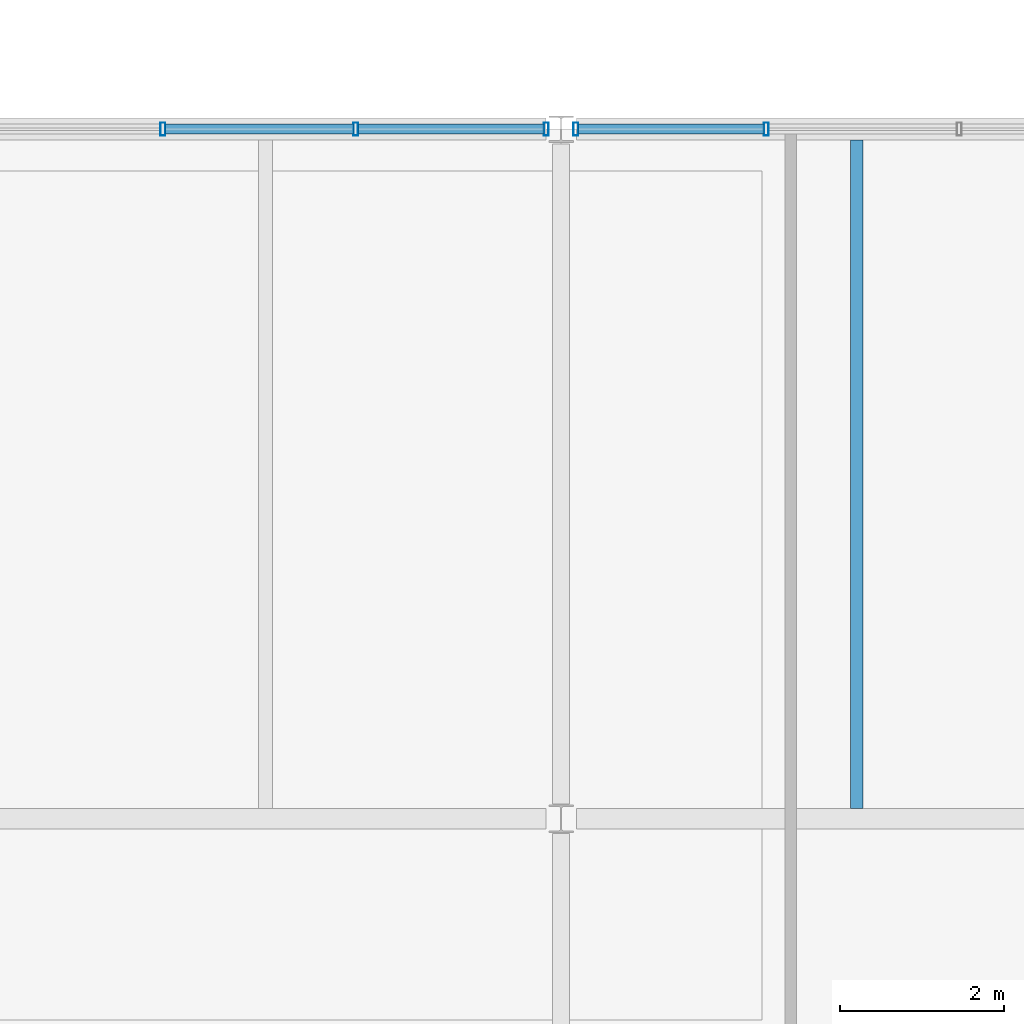
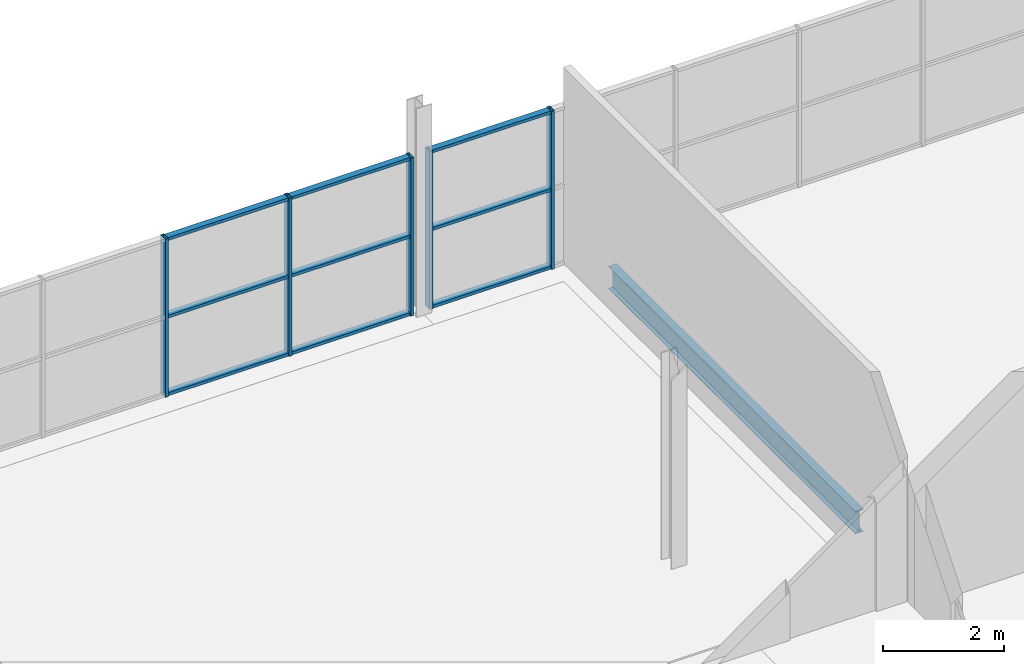
# One storey, part 51 of 93: 14 members, 1 beam, 2 elements without a shape of their own.
"""IFC4 building model written with IfcOpenShell, lengths in metres."""

from ifc_helpers import new_model, si_unit, direction, frame, origin, origin_2d, place, context, subcontext, project, spatial, hollow_rectangle, i_section, extrude, material, material_profile, profile_set, type_object, element, aggregate, save


model = new_model("IFC4")

# Units and contexts
model_context = context("Model", 3, precision=1e-05, world=origin(), true_north=direction((0.0, 1.0)))
body_context = subcontext(model_context, "Body", "Model", "MODEL_VIEW")
ifc_project = project(units=[si_unit("LENGTHUNIT", "METRE"), si_unit("AREAUNIT", "SQUARE_METRE"), si_unit("VOLUMEUNIT", "CUBIC_METRE"), si_unit("PLANEANGLEUNIT", "RADIAN"), si_unit("MASSUNIT", "GRAM", prefix="KILO"), si_unit("THERMODYNAMICTEMPERATUREUNIT", "KELVIN")], contexts=[model_context])

# Site, building, storey
site_placement = place(None, origin())
site = spatial("IfcSite", under=ifc_project, at=site_placement, CompositionType="ELEMENT")
building_placement = place(site_placement, origin())
building = spatial("IfcBuilding", under=site, at=building_placement, Name="Nduvali Passage Aquatics Centre", CompositionType="ELEMENT")
storey_placement = place(building_placement, frame((0.0, 0.0, 9.0)))
storey = spatial("IfcBuildingStorey", under=building, at=storey_placement, Name="L02", CompositionType="ELEMENT", Elevation=9.0)

# Curtain wall, members
ifc_material_1 = material(Name="Aluminium EN AW-6063 T6", Category="aluminium")
curtain_wall_type = type_object("IfcCurtainWallType", Name="ENV-CW-WELL", PredefinedType="NOTDEFINED", material=ifc_material_1)
curtain_wall_1_placement = place(storey_placement, origin())
curtain_wall_1 = element("IfcCurtainWall", 1, at=curtain_wall_1_placement, inside=storey, type_object=curtain_wall_type, Name="L02 North Avenue Clinic CW 101", PredefinedType="NOTDEFINED")
ifc_material_profile_1 = material_profile(ifc_material_1, hollow_rectangle(XDim=0.06005859375, YDim=0.159912109375, WallThickness=0.00390625, at=origin_2d()), Name="ALU MULLION 60x160x4")
ifc_profile_set_1 = profile_set([ifc_material_profile_1], Name="Aluminium EN AW-6063 T6")
member_type_1 = type_object("IfcMemberType", Name="ENV-MEM-MUL60", PredefinedType="MULLION", material=ifc_profile_set_1)
member_1_placement = place(storey_placement, frame((63.550048828125, 117.60009765625, 0.0), z_axis=(0.0, 0.0, 1.0), x_axis=(1.0, 0.0, 0.0)))
member_1 = element("IfcMember", 2, at=member_1_placement, type_object=member_type_1, Name="North Avenue Clinic CW Mullion 5", PredefinedType="MULLION", context=body_context, shape_type="SweptSolid", body=[
    extrude(hollow_rectangle(XDim=0.06005859375, YDim=0.159912109375, WallThickness=0.00390625, at=origin_2d()), origin(), (0.0, 0.0, 1.0), 3.183837890625),
])
member_2_placement = place(storey_placement, frame((65.89990234375, 117.60009765625, 0.0), z_axis=(0.0, 0.0, 1.0), x_axis=(1.0, 0.0, 0.0)))
member_2 = element("IfcMember", 3, at=member_2_placement, type_object=member_type_1, Name="North Avenue Clinic CW Mullion 6", PredefinedType="MULLION", context=body_context, shape_type="SweptSolid", body=[
    extrude(hollow_rectangle(XDim=0.06005859375, YDim=0.159912109375, WallThickness=0.00390625, at=origin_2d()), origin(), (0.0, 0.0, 1.0), 3.183837890625),
])
member_3_placement = place(storey_placement, frame((68.219970703125, 117.60009765625, 0.0), z_axis=(0.0, 0.0, 1.0), x_axis=(1.0, 0.0, 0.0)))
member_3 = element("IfcMember", 4, at=member_3_placement, type_object=member_type_1, Name="North Avenue Clinic CW Mullion 7", PredefinedType="MULLION", context=body_context, shape_type="SweptSolid", body=[
    extrude(hollow_rectangle(XDim=0.06005859375, YDim=0.159912109375, WallThickness=0.00390625, at=origin_2d()), origin(), (0.0, 0.0, 1.0), 3.183837890625),
])

curtain_wall_2_placement = place(storey_placement, origin())
curtain_wall_2 = element("IfcCurtainWall", 5, at=curtain_wall_2_placement, inside=storey, type_object=curtain_wall_type, Name="L02 North Avenue Clinic CW 104", PredefinedType="NOTDEFINED")
member_4_placement = place(storey_placement, frame((68.580078125, 117.60009765625, 0.0), z_axis=(0.0, 0.0, 1.0), x_axis=(1.0, 0.0, 0.0)))
member_4 = element("IfcMember", 6, at=member_4_placement, type_object=member_type_1, Name="North Avenue Clinic CW Mullion 1", PredefinedType="MULLION", context=body_context, shape_type="SweptSolid", body=[
    extrude(hollow_rectangle(XDim=0.06005859375, YDim=0.159912109375, WallThickness=0.00390625, at=origin_2d()), origin(), (0.0, 0.0, 1.0), 3.183837890625),
])
member_5_placement = place(storey_placement, frame((70.89990234375, 117.60009765625, 0.0), z_axis=(0.0, 0.0, 1.0), x_axis=(1.0, 0.0, 0.0)))
member_5 = element("IfcMember", 7, at=member_5_placement, type_object=member_type_1, Name="North Avenue Clinic CW Mullion 2", PredefinedType="MULLION", context=body_context, shape_type="SweptSolid", body=[
    extrude(hollow_rectangle(XDim=0.06005859375, YDim=0.159912109375, WallThickness=0.00390625, at=origin_2d()), origin(), (0.0, 0.0, 1.0), 3.183837890625),
])

# Member
ifc_material_profile_2 = material_profile(ifc_material_1, hollow_rectangle(XDim=0.1201171875, YDim=0.06005859375, WallThickness=0.00390625, at=origin_2d()), Name="ALU TRANSOM 120x60x4")
ifc_profile_set_2 = profile_set([ifc_material_profile_2], Name="Aluminium EN AW-6063 T6")
member_type_2 = type_object("IfcMemberType", Name="ENV-MEM-TRN60", PredefinedType="USERDEFINED", material=ifc_profile_set_2)
member_6_placement = place(storey_placement, frame((63.580078125, 117.60009765625, 0.030029296875), z_axis=(1.0, 0.0, 0.0), x_axis=(0.0, 1.0, 0.0)))
member_6 = element("IfcMember", 8, at=member_6_placement, type_object=member_type_2, Name="North Avenue Clinic CW Transom B5-R0", ObjectType="TRANSOM", PredefinedType="USERDEFINED", context=body_context, shape_type="SweptSolid", body=[
    extrude(hollow_rectangle(XDim=0.1201171875, YDim=0.06005859375, WallThickness=0.00390625, at=origin_2d()), origin(), (0.0, 0.0, 1.0), 2.2900390625),
])

member_7_placement = place(storey_placement, frame((63.580078125, 117.60009765625, 1.591796875), z_axis=(1.0, 0.0, 0.0), x_axis=(0.0, 1.0, 0.0)))
member_7 = element("IfcMember", 9, at=member_7_placement, type_object=member_type_2, Name="North Avenue Clinic CW Transom B5-R1", ObjectType="TRANSOM", PredefinedType="USERDEFINED", context=body_context, shape_type="SweptSolid", body=[
    extrude(hollow_rectangle(XDim=0.1201171875, YDim=0.06005859375, WallThickness=0.00390625, at=origin_2d()), origin(), (0.0, 0.0, 1.0), 2.2900390625),
])

member_8_placement = place(storey_placement, frame((63.580078125, 117.60009765625, 3.15380859375), z_axis=(1.0, 0.0, 0.0), x_axis=(0.0, 1.0, 0.0)))
member_8 = element("IfcMember", 10, at=member_8_placement, type_object=member_type_2, Name="North Avenue Clinic CW Transom B5-R2", ObjectType="TRANSOM", PredefinedType="USERDEFINED", context=body_context, shape_type="SweptSolid", body=[
    extrude(hollow_rectangle(XDim=0.1201171875, YDim=0.06005859375, WallThickness=0.00390625, at=origin_2d()), origin(), (0.0, 0.0, 1.0), 2.2900390625),
])

member_9_placement = place(storey_placement, frame((65.929931640625, 117.60009765625, 0.030029296875), z_axis=(1.0, 0.0, 0.0), x_axis=(0.0, 1.0, 0.0)))
member_9 = element("IfcMember", 11, at=member_9_placement, type_object=member_type_2, Name="North Avenue Clinic CW Transom B6-R0", ObjectType="TRANSOM", PredefinedType="USERDEFINED", context=body_context, shape_type="SweptSolid", body=[
    extrude(hollow_rectangle(XDim=0.1201171875, YDim=0.06005859375, WallThickness=0.00390625, at=origin_2d()), origin(), (0.0, 0.0, 1.0), 2.260009765625),
])

member_10_placement = place(storey_placement, frame((65.929931640625, 117.60009765625, 1.591796875), z_axis=(1.0, 0.0, 0.0), x_axis=(0.0, 1.0, 0.0)))
member_10 = element("IfcMember", 12, at=member_10_placement, type_object=member_type_2, Name="North Avenue Clinic CW Transom B6-R1", ObjectType="TRANSOM", PredefinedType="USERDEFINED", context=body_context, shape_type="SweptSolid", body=[
    extrude(hollow_rectangle(XDim=0.1201171875, YDim=0.06005859375, WallThickness=0.00390625, at=origin_2d()), origin(), (0.0, 0.0, 1.0), 2.260009765625),
])

member_11_placement = place(storey_placement, frame((65.929931640625, 117.60009765625, 3.15380859375), z_axis=(1.0, 0.0, 0.0), x_axis=(0.0, 1.0, 0.0)))
member_11 = element("IfcMember", 13, at=member_11_placement, type_object=member_type_2, Name="North Avenue Clinic CW Transom B6-R2", ObjectType="TRANSOM", PredefinedType="USERDEFINED", context=body_context, shape_type="SweptSolid", body=[
    extrude(hollow_rectangle(XDim=0.1201171875, YDim=0.06005859375, WallThickness=0.00390625, at=origin_2d()), origin(), (0.0, 0.0, 1.0), 2.260009765625),
])

aggregate(curtain_wall_1, [member_1, member_2, member_3, member_6, member_7, member_8, member_9, member_10, member_11])

member_12_placement = place(storey_placement, frame((68.610107421875, 117.60009765625, 0.030029296875), z_axis=(1.0, 0.0, 0.0), x_axis=(0.0, 1.0, 0.0)))
member_12 = element("IfcMember", 14, at=member_12_placement, type_object=member_type_2, Name="North Avenue Clinic CW Transom B1-R0", ObjectType="TRANSOM", PredefinedType="USERDEFINED", context=body_context, shape_type="SweptSolid", body=[
    extrude(hollow_rectangle(XDim=0.1201171875, YDim=0.06005859375, WallThickness=0.00390625, at=origin_2d()), origin(), (0.0, 0.0, 1.0), 2.260009765625),
])

member_13_placement = place(storey_placement, frame((68.610107421875, 117.60009765625, 1.591796875), z_axis=(1.0, 0.0, 0.0), x_axis=(0.0, 1.0, 0.0)))
member_13 = element("IfcMember", 15, at=member_13_placement, type_object=member_type_2, Name="North Avenue Clinic CW Transom B1-R1", ObjectType="TRANSOM", PredefinedType="USERDEFINED", context=body_context, shape_type="SweptSolid", body=[
    extrude(hollow_rectangle(XDim=0.1201171875, YDim=0.06005859375, WallThickness=0.00390625, at=origin_2d()), origin(), (0.0, 0.0, 1.0), 2.260009765625),
])

member_14_placement = place(storey_placement, frame((68.610107421875, 117.60009765625, 3.15380859375), z_axis=(1.0, 0.0, 0.0), x_axis=(0.0, 1.0, 0.0)))
member_14 = element("IfcMember", 16, at=member_14_placement, type_object=member_type_2, Name="North Avenue Clinic CW Transom B1-R2", ObjectType="TRANSOM", PredefinedType="USERDEFINED", context=body_context, shape_type="SweptSolid", body=[
    extrude(hollow_rectangle(XDim=0.1201171875, YDim=0.06005859375, WallThickness=0.00390625, at=origin_2d()), origin(), (0.0, 0.0, 1.0), 2.260009765625),
])

aggregate(curtain_wall_2, [member_4, member_5, member_12, member_13, member_14])

# Beam
ifc_material_2 = material(Name="Steel S355", Category="steel")
ifc_material_profile_3 = material_profile(ifc_material_2, i_section(OverallWidth=0.15283203125, OverallDepth=0.45458984375, WebThickness=0.008056640625, FlangeThickness=0.01318359375, FilletRadius=0.01025390625, at=origin_2d()), Name="UKB 457x152x60")
ifc_profile_set_3 = profile_set([ifc_material_profile_3], Name="Steel S355")
beam_type = type_object("IfcBeamType", Name="STR-JST-UKB457L", PredefinedType="JOIST", material=ifc_profile_set_3)
beam_placement = place(storey_placement, frame((72.0, 109.326904296875, -0.4912109375), z_axis=(0.0, 1.0, 0.0), x_axis=(-1.0, 0.0, 0.0)))
element("IfcBeam", 17, at=beam_placement, inside=storey, type_object=beam_type, Name="L02 Secondary Joist J1A-1189", PredefinedType="JOIST", context=body_context, shape_type="SweptSolid", body=[
    extrude(i_section(OverallWidth=0.15283203125, OverallDepth=0.45458984375, WebThickness=0.008056640625, FlangeThickness=0.01318359375, FilletRadius=0.01025390625, at=origin_2d()), origin(), (0.0, 0.0, 1.0), 8.139892578125),
])

save(model, "model.ifc")
